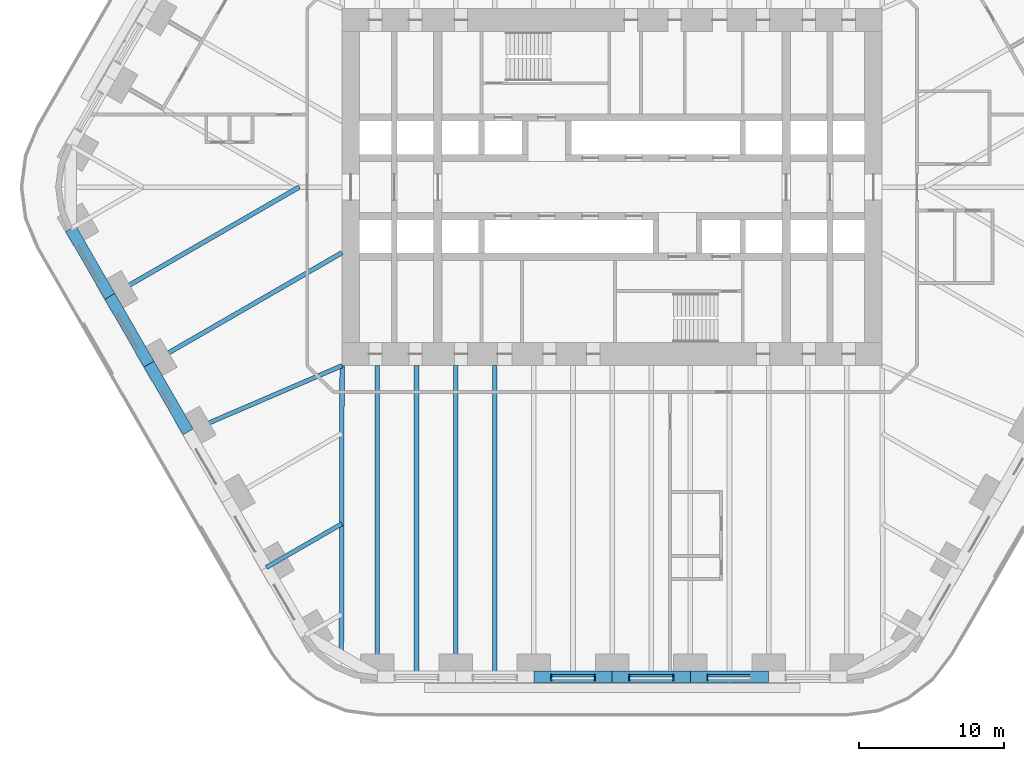
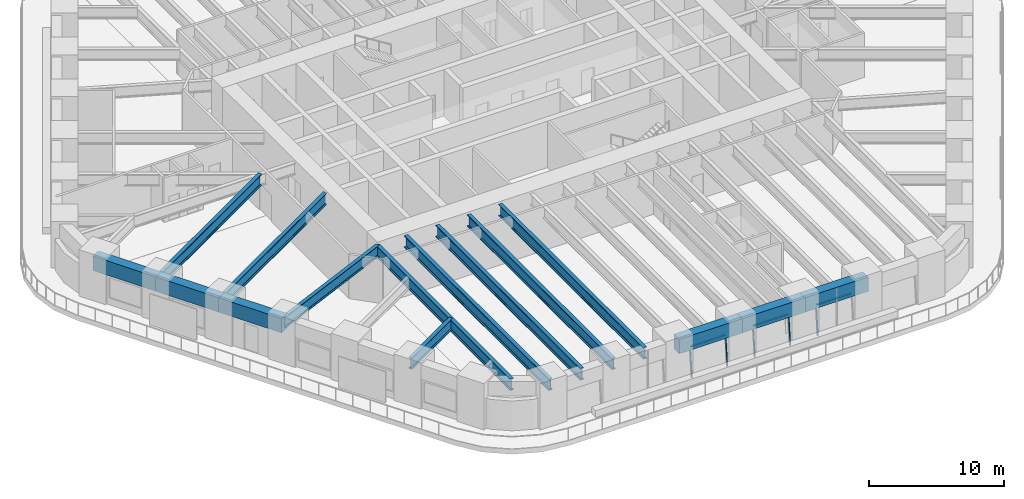
# One storey, part 3 of 23: 15 beams, 8 members, 3 elements without a shape of their own.
"""IFC4 building model written with IfcOpenShell, lengths in metres."""

import ifcopenshell
import ifcopenshell.guid

model = None  # the IFC model being written
_history = None  # IfcOwnerHistory: only IFC2X3 demands one
_inside = {}  # id of a spatial element -> (the spatial element, [elements in it])
_under = {}  # id of a project, library or spatial element -> (it, [spatial elements below it])
_declared = {}  # id of a project -> (the project, [libraries it declares])
_typed = {}  # id of a type object -> (the type object, [elements of that type])
_made_of = {}  # id of a material, layer set ... -> (it, [elements and type objects made of it])


def new_model(schema):
    """Start an empty IFC model of exactly this schema.

    Asked for "IFC4X3", IfcOpenShell would pick the latest addendum, in which some entities
    have other attributes; the version numbers below select the first issue.
    IFC2X3 requires an IfcOwnerHistory on every rooted entity: one is made here for all.
    """
    global model, _history
    if schema == "IFC4X3":
        model = ifcopenshell.file(schema_version=(4, 3, 0, 0))
    else:
        model = ifcopenshell.file(schema=schema)
    _inside.clear()
    _under.clear()
    _declared.clear()
    _typed.clear()
    _made_of.clear()
    _history = None
    if model.schema == "IFC2X3":
        org = make("IfcOrganization", Name="unknown")
        user = make(
            "IfcPersonAndOrganization",
            ThePerson=make("IfcPerson", FamilyName="unknown"),
            TheOrganization=org,
        )
        app = make(
            "IfcApplication",
            ApplicationDeveloper=org,
            Version="unknown",
            ApplicationFullName="unknown",
            ApplicationIdentifier="unknown",
        )
        _history = make(
            "IfcOwnerHistory",
            OwningUser=user,
            OwningApplication=app,
            ChangeAction="ADDED",
            CreationDate=0,
        )
    return model


def make(cls, **values):
    """One entity of the class cls with the attributes given. An attribute that is None is left unset."""
    return model.create_entity(
        cls, **{name: value for name, value in values.items() if value is not None}
    )


def rooted(cls, **values):
    """An entity with a GlobalId (a new one), such as an element, a storey or a relation."""
    return make(cls, GlobalId=ifcopenshell.guid.new(), OwnerHistory=_history, **values)


def si_unit(unit_type, name, prefix=None):
    """IfcSIUnit, for example si_unit("LENGTHUNIT", "METRE", prefix="MILLI")."""
    return make("IfcSIUnit", UnitType=unit_type, Prefix=prefix, Name=name)


def assignment(units):
    """IfcUnitAssignment: the units of a project."""
    return None if units is None else make("IfcUnitAssignment", Units=units)


def point(xyz):
    """IfcCartesianPoint."""
    return None if xyz is None else make("IfcCartesianPoint", Coordinates=xyz)


def direction(xyz):
    """IfcDirection."""
    return None if xyz is None else make("IfcDirection", DirectionRatios=xyz)


def frame(location, z_axis=None, x_axis=None):
    """IfcAxis2Placement3D, a coordinate frame: its origin and axes. An axis left out is left unset."""
    return make(
        "IfcAxis2Placement3D",
        Location=point(location),
        Axis=direction(z_axis),
        RefDirection=direction(x_axis),
    )


def frame_2d(location, x_axis=None):
    """IfcAxis2Placement2D, a coordinate frame in the plane: its origin and x axis."""
    return make(
        "IfcAxis2Placement2D", Location=point(location), RefDirection=direction(x_axis)
    )


def origin():
    """The frame at (0, 0, 0) with its axes left unset."""
    return frame((0.0, 0.0, 0.0))


def origin_2d():
    """The frame at (0, 0) in the plane with its x axis left unset."""
    return frame_2d((0.0, 0.0))


def place(relative_to, where):
    """IfcLocalPlacement: puts the frame where relative to a parent placement (None: the world)."""
    return make(
        "IfcLocalPlacement", PlacementRelTo=relative_to, RelativePlacement=where
    )


def context(
    kind, dimensions, precision=None, world=None, true_north=None, identifier=None
):
    """IfcGeometricRepresentationContext, for example the 3D "Model" context."""
    return make(
        "IfcGeometricRepresentationContext",
        ContextIdentifier=identifier,
        ContextType=kind,
        CoordinateSpaceDimension=dimensions,
        Precision=precision,
        WorldCoordinateSystem=world,
        TrueNorth=true_north,
    )


def subcontext(parent, identifier, kind, view, scale=None):
    """IfcGeometricRepresentationSubContext, for example "Body" below "Model"."""
    return make(
        "IfcGeometricRepresentationSubContext",
        ContextIdentifier=identifier,
        ContextType=kind,
        ParentContext=parent,
        TargetScale=scale,
        TargetView=view,
    )


def project(units=None, contexts=None):
    """IfcProject with its units and contexts."""
    return rooted(
        "IfcProject",
        Name="project",
        RepresentationContexts=contexts,
        UnitsInContext=assignment(units),
    )


def spatial(cls, under=None, at=None, **own):
    """A site, building, storey or space (cls), placed at a placement, below another one or the project."""
    s = rooted(cls, ObjectPlacement=at, **own)
    if under is not None:
        _under.setdefault(under.id(), (under, []))[1].append(s)
    return s


def profile(cls, at=None, kind="AREA", **sizes):
    """A parametric profile (cls). Its sizes go by their IFC names, for example OverallWidth=200.0."""
    return make(cls, ProfileType=kind, Position=at, **sizes)


def rectangle(**sizes):
    """IfcRectangleProfileDef."""
    return profile("IfcRectangleProfileDef", **sizes)


def i_section(**sizes):
    """IfcIShapeProfileDef."""
    return profile("IfcIShapeProfileDef", **sizes)


def extrude(swept, where, along, depth):
    """IfcExtrudedAreaSolid: the profile swept, set in the frame where, extruded along a direction by depth."""
    return make(
        "IfcExtrudedAreaSolid",
        SweptArea=swept,
        Position=where,
        ExtrudedDirection=direction(along),
        Depth=depth,
    )


def shape(context_of_items, identifier, shape_type, items):
    """IfcShapeRepresentation: the items that make up one representation, for example the "Body"."""
    return make(
        "IfcShapeRepresentation",
        ContextOfItems=context_of_items,
        RepresentationIdentifier=identifier,
        RepresentationType=shape_type,
        Items=items,
    )


def material(Name=None, Category=None):
    """IfcMaterial."""
    return make("IfcMaterial", Name=Name, Category=Category)


def material_profile(
    of_material, cross_section, Name=None, Category=None, Priority=None
):
    """IfcMaterialProfile: a cross section and its material."""
    return make(
        "IfcMaterialProfile",
        Name=Name,
        Material=of_material,
        Profile=cross_section,
        Priority=Priority,
        Category=Category,
    )


def profile_set(profiles, Name=None, composite=None):
    """IfcMaterialProfileSet."""
    return make(
        "IfcMaterialProfileSet",
        Name=Name,
        MaterialProfiles=profiles,
        CompositeProfile=composite,
    )


def made_of(thing, what):
    """Note that an element or type object is made of a material, layer set ...; save() writes the relation."""
    if what is not None:
        _made_of.setdefault(what.id(), (what, []))[1].append(thing)
    return thing


def type_object(cls, material=None, **own):
    """A type object (cls), such as IfcWallType, which elements share."""
    return made_of(rooted(cls, **own), material)


def element(
    cls,
    number,
    at=None,
    inside=None,
    cuts=None,
    type_object=None,
    material=None,
    context=None,
    identifier="Body",
    shape_type=None,
    held_by="IfcProductDefinitionShape",
    body=None,
    shapes=None,
    **own,
):
    """One element of the class cls, such as IfcWall. Its Tag is "e" and its number.

    at: its placement. inside: the storey or other place that contains it. cuts: it is an
    opening in that element (IfcRelVoidsElement). A single representation is given by context,
    identifier, shape_type and body (its items); several are given by shapes. held_by: the class
    of the entity that holds the representations. save() writes the other relations.
    """
    e = rooted(cls, Tag="e%d" % number, ObjectPlacement=at, **own)
    if body is not None:
        shapes = [shape(context, identifier, shape_type, body)]
    if shapes is not None:
        e.Representation = make(held_by, Representations=shapes)
    if inside is not None:
        _inside.setdefault(inside.id(), (inside, []))[1].append(e)
    if cuts is not None:
        rooted(
            "IfcRelVoidsElement", RelatingBuildingElement=cuts, RelatedOpeningElement=e
        )
    if type_object is not None:
        _typed.setdefault(type_object.id(), (type_object, []))[1].append(e)
    return made_of(e, material)


def aggregate(whole, parts):
    """IfcRelAggregates: a whole, such as a stair, and the parts it consists of."""
    return rooted("IfcRelAggregates", RelatingObject=whole, RelatedObjects=parts)


def save(model, path):
    """Write the relations noted so far, then the file.

    IfcRelAggregates (storeys below a building ...), IfcRelContainedInSpatialStructure (elements
    in a storey), IfcRelDefinesByType, IfcRelAssociatesMaterial and IfcRelDeclares: one each for
    every whole, place, type object, material and project.
    """
    for whole, parts in _under.values():
        aggregate(whole, parts)
    for where, things in _inside.values():
        rooted(
            "IfcRelContainedInSpatialStructure",
            RelatedElements=things,
            RelatingStructure=where,
        )
    for kind, things in _typed.values():
        rooted("IfcRelDefinesByType", RelatedObjects=things, RelatingType=kind)
    for what, things in _made_of.values():
        rooted("IfcRelAssociatesMaterial", RelatedObjects=things, RelatingMaterial=what)
    for by, libraries in _declared.values():
        rooted("IfcRelDeclares", RelatingContext=by, RelatedDefinitions=libraries)
    model.write(path)


model = new_model("IFC4")

# Units and contexts
model_context = context("Model", 3, precision=1e-05, world=origin(), true_north=direction((0.0, 1.0)))
body_context = subcontext(model_context, "Body", "Model", "MODEL_VIEW")
ifc_project = project(units=[si_unit("LENGTHUNIT", "METRE"), si_unit("AREAUNIT", "SQUARE_METRE"), si_unit("VOLUMEUNIT", "CUBIC_METRE"), si_unit("PLANEANGLEUNIT", "RADIAN"), si_unit("MASSUNIT", "GRAM", prefix="KILO")], contexts=[model_context])

# Site, building, storey
site_placement = place(None, origin())
site = spatial("IfcSite", under=ifc_project, at=site_placement, CompositionType="ELEMENT")
building_placement = place(site_placement, origin())
building = spatial("IfcBuilding", under=site, at=building_placement, Name="Tarfa Lantern Tower", CompositionType="ELEMENT")
storey_placement = place(building_placement, frame((0.0, 0.0, 40.300048828125)))
storey = spatial("IfcBuildingStorey", under=building, at=storey_placement, Name="L08", CompositionType="ELEMENT", Elevation=40.300048828125)

# Curtain wall, members
ifc_material_1 = material(Name="Aluminium framed curtain wall", Category="aluminium")
curtain_wall_type = type_object("IfcCurtainWallType", Name="CW1 CANTED GLAZING LOW ZONE 2700", PredefinedType="USERDEFINED", material=ifc_material_1)
curtain_wall_1_placement = place(storey_placement, origin())
curtain_wall_1 = element("IfcCurtainWall", 1, at=curtain_wall_1_placement, inside=storey, type_object=curtain_wall_type, Name="CW1 S L08", ObjectType="CURTAIN WALL", PredefinedType="USERDEFINED")
ifc_material_2 = material(Name="Aluminium mullion", Category="aluminium")
ifc_material_profile_1 = material_profile(ifc_material_2, rectangle(XDim=0.06494140625, YDim=0.199951171875, at=origin_2d()), Name="AL MULLION 65x200")
ifc_profile_set_1 = profile_set([ifc_material_profile_1], Name="Aluminium mullion")
member_type_1 = type_object("IfcMemberType", Name="CWM1 MULLION 65x200", PredefinedType="MULLION", material=ifc_profile_set_1)
member_1_placement = place(storey_placement, frame((-4.2060546875, -33.89990234375, 0.0), z_axis=(0.0, 0.092199863775, 0.995740520979), x_axis=(-1.0, 0.0, 0.0)))
member_1 = element("IfcMember", 2, at=member_1_placement, type_object=member_type_1, Name="CW1 mullion 1", PredefinedType="MULLION", context=body_context, shape_type="SweptSolid", body=[
    extrude(rectangle(XDim=0.06494140625, YDim=0.199951171875, at=origin_2d()), origin(), (0.0, 0.0, 1.0), 2.71142578125),
])
member_2_placement = place(storey_placement, frame((-1.1826171875, -33.89990234375, 0.0), z_axis=(0.0, 0.092199863775, 0.995740520979), x_axis=(-1.0, 0.0, 0.0)))
member_2 = element("IfcMember", 3, at=member_2_placement, type_object=member_type_1, Name="CW1 mullion 2", PredefinedType="MULLION", context=body_context, shape_type="SweptSolid", body=[
    extrude(rectangle(XDim=0.06494140625, YDim=0.199951171875, at=origin_2d()), origin(), (0.0, 0.0, 1.0), 2.71142578125),
])

curtain_wall_2_placement = place(storey_placement, origin())
curtain_wall_2 = element("IfcCurtainWall", 4, at=curtain_wall_2_placement, inside=storey, type_object=curtain_wall_type, Name="CW1 S L08", ObjectType="CURTAIN WALL", PredefinedType="USERDEFINED")
member_3_placement = place(storey_placement, frame((1.1826171875, -33.89990234375, 0.0), z_axis=(0.0, 0.092199863775, 0.995740520979), x_axis=(-1.0, 0.0, 0.0)))
member_3 = element("IfcMember", 5, at=member_3_placement, type_object=member_type_1, Name="CW1 mullion 1", PredefinedType="MULLION", context=body_context, shape_type="SweptSolid", body=[
    extrude(rectangle(XDim=0.06494140625, YDim=0.199951171875, at=origin_2d()), origin(), (0.0, 0.0, 1.0), 2.71142578125),
])
member_4_placement = place(storey_placement, frame((4.2060546875, -33.89990234375, 0.0), z_axis=(0.0, 0.092199863775, 0.995740520979), x_axis=(-1.0, 0.0, 0.0)))
member_4 = element("IfcMember", 6, at=member_4_placement, type_object=member_type_1, Name="CW1 mullion 2", PredefinedType="MULLION", context=body_context, shape_type="SweptSolid", body=[
    extrude(rectangle(XDim=0.06494140625, YDim=0.199951171875, at=origin_2d()), origin(), (0.0, 0.0, 1.0), 2.71142578125),
])

# Curtain wall, member
curtain_wall_3_placement = place(storey_placement, origin())
curtain_wall_3 = element("IfcCurtainWall", 7, at=curtain_wall_3_placement, inside=storey, type_object=curtain_wall_type, Name="CW1 S L08", ObjectType="CURTAIN WALL", PredefinedType="USERDEFINED")
member_5_placement = place(storey_placement, frame((6.571044921875, -33.89990234375, 0.0), z_axis=(0.0, 0.092199863775, 0.995740520979), x_axis=(-1.0, 0.0, 0.0)))
member_5 = element("IfcMember", 8, at=member_5_placement, type_object=member_type_1, Name="CW1 mullion 1", PredefinedType="MULLION", context=body_context, shape_type="SweptSolid", body=[
    extrude(rectangle(XDim=0.06494140625, YDim=0.199951171875, at=origin_2d()), origin(), (0.0, 0.0, 1.0), 2.71142578125),
])

# Member
ifc_material_3 = material(Name="Aluminium transom", Category="aluminium")
ifc_material_profile_2 = material_profile(ifc_material_3, rectangle(XDim=0.14990234375, YDim=0.06494140625, at=origin_2d()), Name="AL TRANSOM 150x65")
ifc_profile_set_2 = profile_set([ifc_material_profile_2], Name="Aluminium transom")
member_type_2 = type_object("IfcMemberType", Name="CWT1 TRANSOM 150x65", PredefinedType="USERDEFINED", material=ifc_profile_set_2)
member_6_placement = place(storey_placement, frame((-4.173583984375, -33.653076171875, 2.66748046875), z_axis=(1.0, 0.0, 0.0), x_axis=(0.0, 1.0, 0.0)))
member_6 = element("IfcMember", 9, at=member_6_placement, type_object=member_type_2, Name="CW1 transom 1.2", ObjectType="TRANSOM", PredefinedType="USERDEFINED", context=body_context, shape_type="SweptSolid", body=[
    extrude(rectangle(XDim=0.14990234375, YDim=0.06494140625, at=origin_2d()), origin(), (0.0, 0.0, 1.0), 2.95849609375),
])

aggregate(curtain_wall_1, [member_1, member_2, member_6])

member_7_placement = place(storey_placement, frame((1.215087890625, -33.653076171875, 2.66748046875), z_axis=(1.0, 0.0, 0.0), x_axis=(0.0, 1.0, 0.0)))
member_7 = element("IfcMember", 10, at=member_7_placement, type_object=member_type_2, Name="CW1 transom 1.2", ObjectType="TRANSOM", PredefinedType="USERDEFINED", context=body_context, shape_type="SweptSolid", body=[
    extrude(rectangle(XDim=0.14990234375, YDim=0.06494140625, at=origin_2d()), origin(), (0.0, 0.0, 1.0), 2.95849609375),
])

aggregate(curtain_wall_2, [member_3, member_4, member_7])

member_8_placement = place(storey_placement, frame((6.603515625, -33.653076171875, 2.66748046875), z_axis=(1.0, 0.0, 0.0), x_axis=(0.0, 1.0, 0.0)))
member_8 = element("IfcMember", 11, at=member_8_placement, type_object=member_type_2, Name="CW1 transom 1.2", ObjectType="TRANSOM", PredefinedType="USERDEFINED", context=body_context, shape_type="SweptSolid", body=[
    extrude(rectangle(XDim=0.14990234375, YDim=0.06494140625, at=origin_2d()), origin(), (0.0, 0.0, 1.0), 2.958740234375),
])

aggregate(curtain_wall_3, [member_5, member_8])

# Beams
ifc_material_4 = material(Name="Concrete C80/95", Category="concrete")
ifc_material_profile_3 = material_profile(ifc_material_4, rectangle(XDim=0.800048828125, YDim=1.300048828125, at=origin_2d()), Name="RC 800x1300")
ifc_profile_set_3 = profile_set([ifc_material_profile_3], Name="Concrete C80/95")
beam_type_1 = type_object("IfcBeamType", Name="EB1 RC 800x1300", PredefinedType="SPANDREL", material=ifc_profile_set_3)
beam_1_placement = place(storey_placement, frame((-37.285400390625, -2.860107421875, 3.349853515625), z_axis=(0.500017906299, -0.866015065331, 0.0), x_axis=(0.866015065331, 0.500017906299, 0.0)))
element("IfcBeam", 12, at=beam_1_placement, inside=storey, type_object=beam_type_1, Name="Edge beam SW0", PredefinedType="SPANDREL", context=body_context, shape_type="SweptSolid", body=[
    extrude(rectangle(XDim=0.800048828125, YDim=1.300048828125, at=origin_2d()), origin(), (0.0, 0.0, 1.0), 5.388427734375),
])
for number, where, z_axis, x_axis, name in (
    (13, (-34.591064453125, -7.526611328125, 3.349853515625), (0.499998287579, -0.866026392449, 0.0), (0.866026392449, 0.499998287579, 0.0), "Edge beam SW1"),
    (14, (-31.896728515625, -12.193359375, 3.349853515625), (0.499998287579, -0.866026392449, 0.0), (0.866026392449, 0.499998287579, 0.0), "Edge beam SW2"),
    (15, (-5.388671875, -33.719970703125, 3.349853515625), (1.0, 0.0, 0.0), (0.0, 1.0, 0.0), "Edge beam S2"),
    (16, (0.0, -33.719970703125, 3.349853515625), (1.0, 0.0, 0.0), (0.0, 1.0, 0.0), "Edge beam S3"),
):
    element("IfcBeam", number, at=place(storey_placement, frame(where, z_axis=z_axis, x_axis=x_axis)), inside=storey, type_object=beam_type_1, Name=name, PredefinedType="SPANDREL", context=body_context, shape_type="SweptSolid", body=[
        extrude(rectangle(XDim=0.800048828125, YDim=1.300048828125, at=origin_2d()), origin(), (0.0, 0.0, 1.0), 5.388671875),
    ])
beam_2_placement = place(storey_placement, frame((5.388671875, -33.719970703125, 3.349853515625), z_axis=(1.0, 0.0, 0.0), x_axis=(0.0, 1.0, 0.0)))
element("IfcBeam", 17, at=beam_2_placement, inside=storey, type_object=beam_type_1, Name="Edge beam S4", PredefinedType="SPANDREL", context=body_context, shape_type="SweptSolid", body=[
    extrude(rectangle(XDim=0.800048828125, YDim=1.300048828125, at=origin_2d()), origin(), (0.0, 0.0, 1.0), 5.388427734375),
])
ifc_material_5 = material(Name="Steel S460M", Category="steel")
ifc_material_profile_4 = material_profile(ifc_material_5, i_section(OverallWidth=0.302001953125, OverallDepth=1.008056640625, WebThickness=0.02099609375, FlangeThickness=0.0400390625, FilletRadius=0.030029296875, at=origin_2d()), Name="UB1016x305x349")
ifc_profile_set_4 = profile_set([ifc_material_profile_4], Name="Steel S460M")
beam_type_2 = type_object("IfcBeamType", Name="UB1016x305x349", PredefinedType="BEAM", material=ifc_profile_set_4)
beam_3_placement = place(storey_placement, frame((-29.202392578125, -16.860107421875, 3.495849609375), z_axis=(0.918635483867, 0.395106122175, 0.0), x_axis=(-0.395106122175, 0.918635483867, 0.0)))
element("IfcBeam", 18, at=beam_3_placement, inside=storey, type_object=beam_type_2, Name="Floor beam SW3", PredefinedType="BEAM", context=body_context, shape_type="SweptSolid", body=[
    extrude(i_section(OverallWidth=0.302001953125, OverallDepth=1.008056640625, WebThickness=0.02099609375, FlangeThickness=0.0400390625, FilletRadius=0.030029296875, at=origin_2d()), origin(), (0.0, 0.0, 1.0), 11.541259765625),
])
beam_4_placement = place(storey_placement, frame((-23.813720703125, -26.193359375, 3.495849609375), z_axis=(0.866015997389, 0.500016292001, 0.0), x_axis=(-0.500016292001, 0.866015997389, 0.0)))
element("IfcBeam", 19, at=beam_4_placement, inside=storey, type_object=beam_type_2, Name="Floor beam SW5", PredefinedType="BEAM", context=body_context, shape_type="SweptSolid", body=[
    extrude(i_section(OverallWidth=0.302001953125, OverallDepth=1.008056640625, WebThickness=0.02099609375, FlangeThickness=0.0400390625, FilletRadius=0.030029296875, at=origin_2d()), origin(), (0.0, 0.0, 1.0), 5.993408203125),
])
ifc_material_profile_5 = material_profile(ifc_material_5, i_section(OverallWidth=0.314208984375, OverallDepth=1.055908203125, WebThickness=0.035888671875, FlangeThickness=0.06396484375, FilletRadius=0.030029296875, at=origin_2d()), Name="UB1016x305x584")
ifc_profile_set_5 = profile_set([ifc_material_profile_5], Name="Steel S460M")
beam_type_3 = type_object("IfcBeamType", Name="UB1016x305x584", PredefinedType="BEAM", material=ifc_profile_set_5)
beam_5_placement = place(storey_placement, frame((-18.60009765625, -12.300048828125, 3.471923828125), z_axis=(-0.00212508222, -0.99999774201, 0.0), x_axis=(0.99999774201, -0.00212508222, 0.0)))
element("IfcBeam", 20, at=beam_5_placement, inside=storey, type_object=beam_type_3, Name="Hip girder SW", PredefinedType="BEAM", context=body_context, shape_type="SweptSolid", body=[
    extrude(i_section(OverallWidth=0.314208984375, OverallDepth=1.055908203125, WebThickness=0.035888671875, FlangeThickness=0.06396484375, FilletRadius=0.030029296875, at=origin_2d()), origin(), (0.0, 0.0, 1.0), 19.989990234375),
])
beam_6_placement = place(storey_placement, frame((-34.591064453125, -7.526611328125, 3.471923828125), z_axis=(0.86602785945, 0.499995746638, 0.0), x_axis=(-0.499995746638, 0.86602785945, 0.0)))
element("IfcBeam", 21, at=beam_6_placement, inside=storey, type_object=beam_type_3, Name="Floor beam SW1", PredefinedType="BEAM", context=body_context, shape_type="SweptSolid", body=[
    extrude(i_section(OverallWidth=0.314208984375, OverallDepth=1.055908203125, WebThickness=0.035888671875, FlangeThickness=0.06396484375, FilletRadius=0.030029296875, at=origin_2d()), origin(), (0.0, 0.0, 1.0), 15.053466796875),
])
beam_7_placement = place(storey_placement, frame((-31.896728515625, -12.193359375, 3.471923828125), z_axis=(0.866026971665, 0.499997284341, 0.0), x_axis=(-0.499997284341, 0.866026971665, 0.0)))
element("IfcBeam", 22, at=beam_7_placement, inside=storey, type_object=beam_type_3, Name="Floor beam SW2", PredefinedType="BEAM", context=body_context, shape_type="SweptSolid", body=[
    extrude(i_section(OverallWidth=0.314208984375, OverallDepth=1.055908203125, WebThickness=0.035888671875, FlangeThickness=0.06396484375, FilletRadius=0.030029296875, at=origin_2d()), origin(), (0.0, 0.0, 1.0), 15.353515625),
])
for number, where, z_axis, x_axis, name in (
    (23, (-16.165771484375, -33.719970703125, 3.471923828125), (0.0, 1.0, 0.0), (-1.0, 0.0, 0.0), "Floor beam S0"),
    (24, (-10.777099609375, -33.719970703125, 3.471923828125), (0.0, 1.0, 0.0), (-1.0, 0.0, 0.0), "Floor beam S1"),
    (25, (-13.471435546875, -33.719970703125, 3.471923828125), (0.0, 1.0, 0.0), (-1.0, 0.0, 0.0), "Floor beam S0M"),
    (26, (-8.0830078125, -33.719970703125, 3.471923828125), (0.0, 1.0, 0.0), (-1.0, 0.0, 0.0), "Floor beam S1M"),
):
    element("IfcBeam", number, at=place(storey_placement, frame(where, z_axis=z_axis, x_axis=x_axis)), inside=storey, type_object=beam_type_3, Name=name, PredefinedType="BEAM", context=body_context, shape_type="SweptSolid", body=[
        extrude(i_section(OverallWidth=0.314208984375, OverallDepth=1.055908203125, WebThickness=0.035888671875, FlangeThickness=0.06396484375, FilletRadius=0.030029296875, at=origin_2d()), origin(), (0.0, 0.0, 1.0), 21.419921875),
    ])

save(model, "model.ifc")
